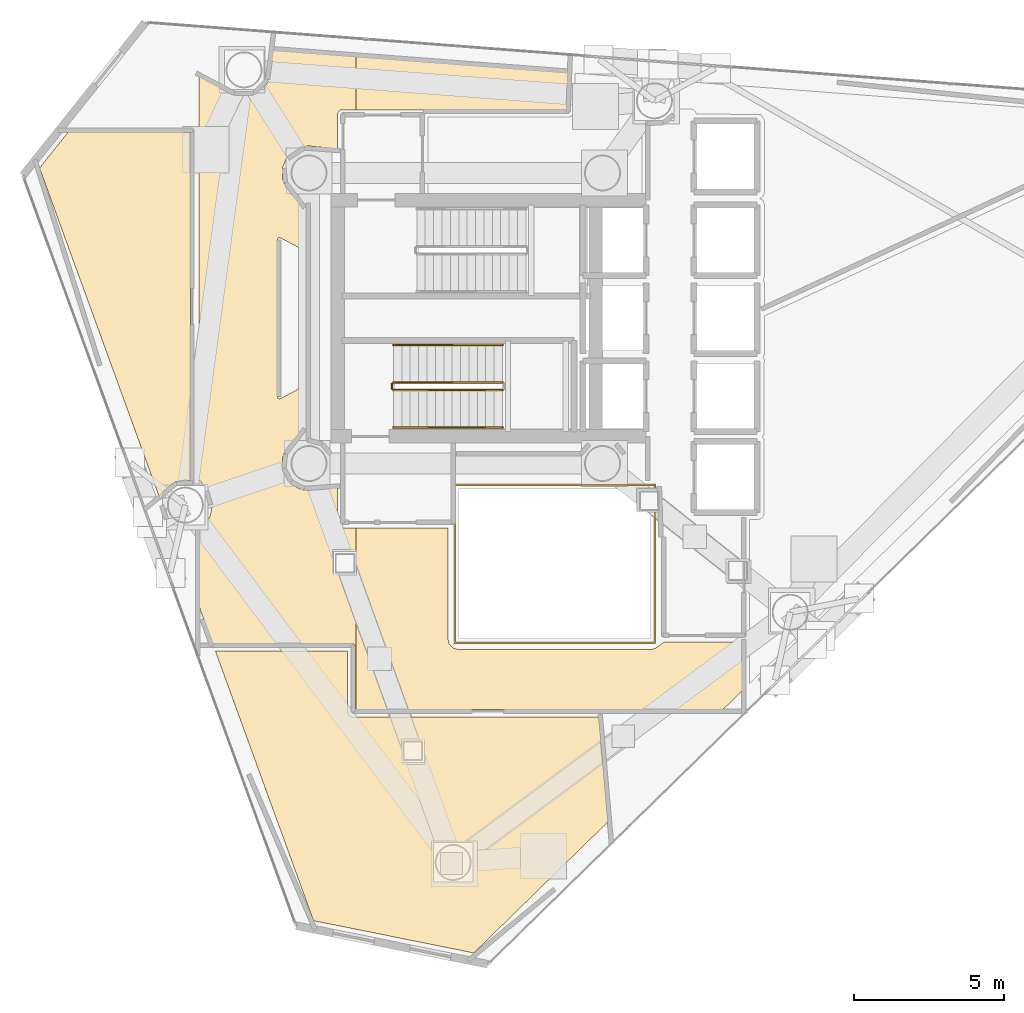
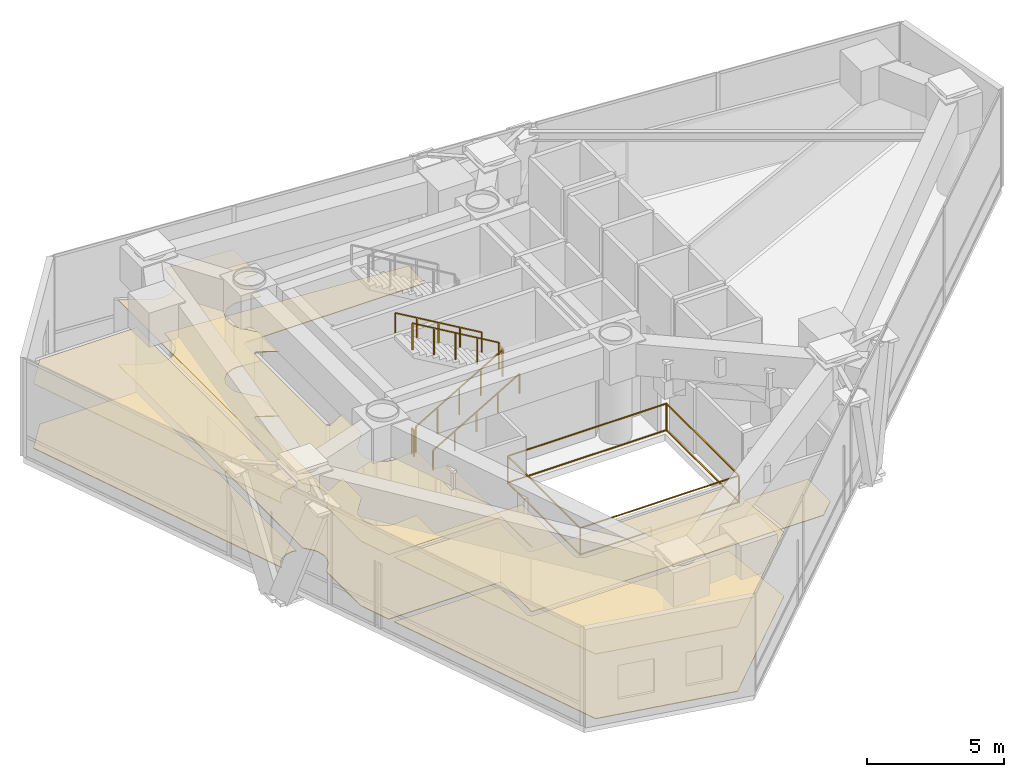
# One storey, part 19 of 20: 6 coverings, 6 railings.
"""IFC4 building model written with IfcOpenShell, lengths in metres."""

from ifc_helpers import new_model, si_unit, direction, frame, origin, origin_2d, place, context, subcontext, project, spatial, polyline, rectangle, outline, extrude, material, layer, layer_set, type_object, element, save


model = new_model("IFC4")

# Units and contexts
model_context = context("Model", 3, precision=1e-05, world=origin(), true_north=direction((0.0, 1.0)))
body_context = subcontext(model_context, "Body", "Model", "MODEL_VIEW")
ifc_project = project(units=[si_unit("LENGTHUNIT", "METRE"), si_unit("AREAUNIT", "SQUARE_METRE"), si_unit("VOLUMEUNIT", "CUBIC_METRE"), si_unit("PLANEANGLEUNIT", "RADIAN"), si_unit("MASSUNIT", "GRAM", prefix="KILO")], contexts=[model_context])

# Site, building, storey
site_placement = place(None, origin())
site = spatial("IfcSite", under=ifc_project, at=site_placement, CompositionType="ELEMENT")
building_placement = place(site_placement, origin())
building = spatial("IfcBuilding", under=site, at=building_placement, Name="Qianvela Tower", CompositionType="ELEMENT")
storey_placement = place(building_placement, frame((0.0, 0.0, 229.89990234375)))
storey = spatial("IfcBuildingStorey", under=building, at=storey_placement, Name="L59", CompositionType="ELEMENT", Elevation=229.89990234375)

# Coverings
ifc_material_1 = material(Name="Perforated Mineral Acoustic Ceiling Tile")
ifc_layer_1 = layer(ifc_material_1, 0.02490234375)
ifc_layer_set_1 = layer_set([ifc_layer_1], Name="Perforated Mineral Acoustic Ceiling Tile")
covering_type_1 = type_object("IfcCoveringType", Name="COV-CEIL-ACOUSTIC-25", PredefinedType="CEILING", material=ifc_layer_set_1)
covering_1_placement = place(storey_placement, frame((0.0, 0.0, 2.875)))
element("IfcCovering", 1, at=covering_1_placement, inside=storey, type_object=covering_type_1, Name="L59 Acoustic Ceiling L59 Fire Refuge Area North", PredefinedType="CEILING", context=body_context, shape_type="SweptSolid", body=[
    extrude(outline(polyline([(19.603759765625, 33.7158203125), (20.565673828125, 34.919921875), (24.639892578125, 34.919921875), (24.639892578125, 23.27099609375), (24.486083984375, 23.298583984375), (24.478759765625, 23.2998046875), (24.47119140625, 23.300048828125), (24.4638671875, 23.299560546875), (24.456298828125, 23.298583984375), (24.16552734375, 23.240478515625), (24.157958984375, 23.23876953125), (24.150390625, 23.236083984375), (24.143310546875, 23.232666015625), (24.01220703125, 23.16259765625), (24.00537109375, 23.158447265625), (23.9990234375, 23.15380859375), (23.9931640625, 23.1484375), (23.783447265625, 22.938720703125), (23.7783203125, 22.93310546875), (23.773681640625, 22.9267578125), (23.76953125, 22.919921875), (23.76611328125, 22.912841796875), (23.652587890625, 22.638916015625), (23.64990234375, 22.631591796875), (23.648193359375, 22.623779296875), (23.64697265625, 22.6162109375), (23.646240234375, 22.60888671875), (19.603759765625, 33.7158203125)])), origin(), (0.0, 0.0, 1.0), 0.025146484375),
])
covering_2_placement = place(storey_placement, frame((0.0, 0.0, 2.875)))
element("IfcCovering", 2, at=covering_2_placement, inside=storey, type_object=covering_type_1, Name="L59 Acoustic Ceiling Bay 1 L59 Mechanical Plant Corridor", PredefinedType="CEILING", context=body_context, shape_type="SweptSolid", body=[
    extrude(outline(polyline([(25.22021484375, 22.9599609375), (25.215576171875, 22.96630859375), (24.929931640625, 23.314453125), (24.929931640625, 36.7783203125), (26.07958984375, 36.163818359375), (26.086669921875, 36.160400390625), (26.093994140625, 36.157958984375), (26.1015625, 36.156005859375), (26.415283203125, 36.093505859375), (26.423095703125, 36.09228515625), (26.430908203125, 36.092041015625), (26.438720703125, 36.09228515625), (26.446533203125, 36.093505859375), (26.760498046875, 36.156005859375), (26.76806640625, 36.157958984375), (26.775390625, 36.160400390625), (26.782470703125, 36.163818359375), (26.789306640625, 36.16796875), (27.055419921875, 36.345703125), (27.0615234375, 36.350341796875), (27.0673828125, 36.355712890625), (27.07275390625, 36.361328125), (27.077392578125, 36.36767578125), (27.255126953125, 36.6337890625), (27.259033203125, 36.640380859375), (27.262451171875, 36.647705078125), (27.26513671875, 36.655029296875), (27.311767578125, 36.808837890625), (27.313720703125, 36.81640625), (27.31494140625, 36.82421875), (27.396240234375, 37.649658203125), (30.1611328125, 37.439208984375), (30.1611328125, 35.660888671875), (29.68798828125, 35.660888671875), (29.68017578125, 35.660400390625), (29.67236328125, 35.6591796875), (29.664794921875, 35.657470703125), (29.6572265625, 35.65478515625), (29.650146484375, 35.6513671875), (29.6435546875, 35.647216796875), (29.63720703125, 35.642578125), (29.63134765625, 35.637451171875), (29.626220703125, 35.631591796875), (29.576171875, 35.57080078125), (29.571533203125, 35.564453125), (29.5673828125, 35.5576171875), (29.564208984375, 35.550537109375), (29.561279296875, 35.543212890625), (29.5595703125, 35.53564453125), (29.558349609375, 35.52783203125), (29.55810546875, 35.52001953125), (29.55810546875, 34.35595703125), (28.60791015625, 34.44970703125), (28.60009765625, 34.449951171875), (28.59228515625, 34.44970703125), (28.43212890625, 34.433837890625), (28.42431640625, 34.4326171875), (28.416748046875, 34.430908203125), (28.409423828125, 34.42822265625), (28.11376953125, 34.3056640625), (28.106689453125, 34.302490234375), (28.10009765625, 34.29833984375), (28.09375, 34.293701171875), (28.087890625, 34.288330078125), (27.861572265625, 34.06201171875), (27.8564453125, 34.056396484375), (27.851806640625, 34.050048828125), (27.84765625, 34.043212890625), (27.84423828125, 34.0361328125), (27.7216796875, 33.740478515625), (27.71923828125, 33.733154296875), (27.71728515625, 33.7255859375), (27.716064453125, 33.7177734375), (27.7158203125, 33.7099609375), (27.7158203125, 33.389892578125), (27.716064453125, 33.382080078125), (27.71728515625, 33.37451171875), (27.71923828125, 33.36669921875), (27.765869140625, 33.212890625), (27.7685546875, 33.20556640625), (27.77197265625, 33.198486328125), (27.84765625, 33.056640625), (27.851806640625, 33.050048828125), (27.8564453125, 33.043701171875), (28.39990234375, 32.381103515625), (28.39990234375, 30.98291015625), (27.65771484375, 31.379638671875), (27.650634765625, 31.383056640625), (27.643310546875, 31.3857421875), (27.635498046875, 31.3876953125), (27.627685546875, 31.388916015625), (27.6201171875, 31.38916015625), (27.6123046875, 31.388916015625), (27.6044921875, 31.3876953125), (27.5966796875, 31.3857421875), (27.58935546875, 31.383056640625), (27.582275390625, 31.379638671875), (27.57568359375, 31.375732421875), (27.569091796875, 31.37109375), (27.5634765625, 31.36572265625), (27.55810546875, 31.35986328125), (27.553466796875, 31.353515625), (27.54931640625, 31.346923828125), (27.546142578125, 31.33984375), (27.54345703125, 31.33251953125), (27.54150390625, 31.32470703125), (27.540283203125, 31.31689453125), (27.5400390625, 31.30908203125), (27.5400390625, 26.0908203125), (27.540283203125, 26.0830078125), (27.54150390625, 26.0751953125), (27.54345703125, 26.067626953125), (27.546142578125, 26.060302734375), (27.54931640625, 26.052978515625), (27.553466796875, 26.04638671875), (27.55810546875, 26.0400390625), (27.5634765625, 26.0341796875), (27.569091796875, 26.029052734375), (27.57568359375, 26.0244140625), (27.582275390625, 26.020263671875), (27.58935546875, 26.016845703125), (27.5966796875, 26.014404296875), (27.6044921875, 26.012451171875), (27.6123046875, 26.01123046875), (27.6201171875, 26.0107421875), (27.627685546875, 26.01123046875), (27.635498046875, 26.012451171875), (27.643310546875, 26.014404296875), (27.650634765625, 26.016845703125), (27.65771484375, 26.020263671875), (28.39990234375, 26.4169921875), (28.39990234375, 25.018798828125), (27.8564453125, 24.356201171875), (27.851806640625, 24.35009765625), (27.84765625, 24.34326171875), (27.77197265625, 24.201416015625), (27.7685546875, 24.1943359375), (27.765869140625, 24.18701171875), (27.71923828125, 24.033203125), (27.71728515625, 24.025634765625), (27.716064453125, 24.017822265625), (27.7158203125, 24.010009765625), (27.7158203125, 23.68994140625), (27.716064453125, 23.68212890625), (27.71728515625, 23.67431640625), (27.71923828125, 23.666748046875), (27.765869140625, 23.512939453125), (27.7685546875, 23.505615234375), (27.77197265625, 23.49853515625), (27.77587890625, 23.49169921875), (27.95361328125, 23.2255859375), (27.958251953125, 23.219482421875), (27.963623046875, 23.213623046875), (27.969482421875, 23.208251953125), (27.9755859375, 23.20361328125), (28.24169921875, 23.02587890625), (28.24853515625, 23.02197265625), (28.255615234375, 23.0185546875), (28.262939453125, 23.015869140625), (28.416748046875, 22.96923828125), (28.42431640625, 22.96728515625), (28.43212890625, 22.966064453125), (28.59228515625, 22.950439453125), (28.60009765625, 22.949951171875), (28.60791015625, 22.950439453125), (29.55810546875, 23.0439453125), (29.55810546875, 21.780029296875), (29.558349609375, 21.772216796875), (29.5595703125, 21.764404296875), (29.561279296875, 21.7568359375), (29.564208984375, 21.74951171875), (29.5673828125, 21.7421875), (29.571533203125, 21.735595703125), (29.576171875, 21.729248046875), (29.581298828125, 21.723388671875), (29.587158203125, 21.71826171875), (29.593505859375, 21.71337890625), (29.600341796875, 21.70947265625), (29.607421875, 21.7060546875), (29.61474609375, 21.703369140625), (29.622314453125, 21.701416015625), (29.630126953125, 21.700439453125), (29.637939453125, 21.699951171875), (30.1611328125, 21.699951171875), (30.1611328125, 15.6298828125), (30.1298828125, 15.6298828125), (30.1298828125, 17.75), (30.129638671875, 17.7578125), (30.12841796875, 17.765625), (30.126708984375, 17.773193359375), (30.123779296875, 17.780517578125), (30.12060546875, 17.78759765625), (30.116455078125, 17.79443359375), (30.11181640625, 17.80078125), (30.106689453125, 17.806640625), (30.100830078125, 17.811767578125), (30.094482421875, 17.81640625), (30.087646484375, 17.820556640625), (30.08056640625, 17.823974609375), (30.0732421875, 17.82666015625), (30.065673828125, 17.82861328125), (30.057861328125, 17.82958984375), (30.050048828125, 17.830078125), (25.385498046875, 17.830078125), (24.929931640625, 19.081787109375), (24.929931640625, 21.605712890625), (25.215576171875, 21.95361328125), (25.22021484375, 21.9599609375), (25.224365234375, 21.966796875), (25.300048828125, 22.1083984375), (25.303466796875, 22.115478515625), (25.30615234375, 22.123046875), (25.30810546875, 22.130615234375), (25.37060546875, 22.4443359375), (25.37158203125, 22.4521484375), (25.3720703125, 22.4599609375), (25.37158203125, 22.4677734375), (25.37060546875, 22.4755859375), (25.30810546875, 22.789306640625), (25.30615234375, 22.797119140625), (25.303466796875, 22.804443359375), (25.300048828125, 22.8115234375), (25.224365234375, 22.953369140625), (25.22021484375, 22.9599609375)])), origin(), (0.0, 0.0, 1.0), 0.025146484375),
])
covering_3_placement = place(storey_placement, frame((0.0, 0.0, 2.875)))
element("IfcCovering", 3, at=covering_3_placement, inside=storey, type_object=covering_type_1, Name="L59 Acoustic Ceiling L59 Air Handling and Smoke Exhaust Plant Room", PredefinedType="CEILING", context=body_context, shape_type="SweptSolid", body=[
    extrude(outline(polyline([(25.472900390625, 17.590087890625), (29.889892578125, 17.590087890625), (29.889892578125, 15.550048828125), (29.890380859375, 15.542236328125), (29.8916015625, 15.534423828125), (29.893310546875, 15.52685546875), (29.89599609375, 15.519287109375), (29.8994140625, 15.51220703125), (29.903564453125, 15.505615234375), (29.908203125, 15.499267578125), (29.97265625, 15.4208984375), (29.977783203125, 15.4150390625), (29.983642578125, 15.40966796875), (29.989990234375, 15.405029296875), (29.99658203125, 15.40087890625), (30.00390625, 15.397705078125), (30.01123046875, 15.39501953125), (30.018798828125, 15.39306640625), (30.026611328125, 15.391845703125), (30.034423828125, 15.3916015625), (38.277587890625, 15.389892578125), (38.583984375, 11.887451171875), (34.1044921875, 7.5078125), (28.75, 8.5859375), (25.472900390625, 17.590087890625)])), origin(), (0.0, 0.0, 1.0), 0.025146484375),
])
ifc_material_2 = material(Name="Honed Stone Terrazzo Flooring", Category="masonry")
ifc_layer_2 = layer(ifc_material_2, 0.030029296875)
ifc_layer_set_2 = layer_set([ifc_layer_2], Name="Honed Stone Terrazzo Flooring")
covering_type_2 = type_object("IfcCoveringType", Name="COV-FLOOR-TERRAZZO-30", PredefinedType="FLOORING", material=ifc_layer_set_2)
covering_4_placement = place(storey_placement, origin())
element("IfcCovering", 4, at=covering_4_placement, inside=storey, type_object=covering_type_2, Name="L59 Finish Flooring L59 Fire Refuge Area North", PredefinedType="FLOORING", context=body_context, shape_type="SweptSolid", body=[
    extrude(outline(polyline([(19.603759765625, 33.7158203125), (20.565673828125, 34.919921875), (24.639892578125, 34.919921875), (24.639892578125, 23.27099609375), (24.486083984375, 23.298583984375), (24.478759765625, 23.2998046875), (24.47119140625, 23.300048828125), (24.4638671875, 23.299560546875), (24.456298828125, 23.298583984375), (24.16552734375, 23.240478515625), (24.157958984375, 23.23876953125), (24.150390625, 23.236083984375), (24.143310546875, 23.232666015625), (24.01220703125, 23.16259765625), (24.00537109375, 23.158447265625), (23.9990234375, 23.15380859375), (23.9931640625, 23.1484375), (23.783447265625, 22.938720703125), (23.7783203125, 22.93310546875), (23.773681640625, 22.9267578125), (23.76953125, 22.919921875), (23.76611328125, 22.912841796875), (23.652587890625, 22.638916015625), (23.64990234375, 22.631591796875), (23.648193359375, 22.623779296875), (23.64697265625, 22.6162109375), (23.646240234375, 22.60888671875), (19.603759765625, 33.7158203125)])), origin(), (0.0, 0.0, 1.0), 0.030029296875),
])
covering_5_placement = place(storey_placement, origin())
element("IfcCovering", 5, at=covering_5_placement, inside=storey, type_object=covering_type_2, Name="L59 Finish Flooring L59 Mechanical Plant Corridor", PredefinedType="FLOORING", context=body_context, shape_type="SweptSolid", body=[
    extrude(outline(polyline([(25.224365234375, 22.953369140625), (25.22021484375, 22.9599609375), (25.215576171875, 22.96630859375), (24.929931640625, 23.314453125), (24.929931640625, 36.7783203125), (26.07958984375, 36.163818359375), (26.086669921875, 36.160400390625), (26.093994140625, 36.157958984375), (26.1015625, 36.156005859375), (26.415283203125, 36.093505859375), (26.423095703125, 36.09228515625), (26.430908203125, 36.092041015625), (26.438720703125, 36.09228515625), (26.446533203125, 36.093505859375), (26.760498046875, 36.156005859375), (26.76806640625, 36.157958984375), (26.775390625, 36.160400390625), (26.782470703125, 36.163818359375), (26.789306640625, 36.16796875), (27.055419921875, 36.345703125), (27.0615234375, 36.350341796875), (27.0673828125, 36.355712890625), (27.07275390625, 36.361328125), (27.077392578125, 36.36767578125), (27.255126953125, 36.6337890625), (27.259033203125, 36.640380859375), (27.262451171875, 36.647705078125), (27.26513671875, 36.655029296875), (27.311767578125, 36.808837890625), (27.313720703125, 36.81640625), (27.31494140625, 36.82421875), (27.396240234375, 37.649658203125), (37.251220703125, 36.8994140625), (37.2041015625, 35.659912109375), (29.68798828125, 35.660888671875), (29.68017578125, 35.660400390625), (29.67236328125, 35.6591796875), (29.664794921875, 35.657470703125), (29.6572265625, 35.65478515625), (29.650146484375, 35.6513671875), (29.6435546875, 35.647216796875), (29.63720703125, 35.642578125), (29.63134765625, 35.637451171875), (29.626220703125, 35.631591796875), (29.576171875, 35.57080078125), (29.571533203125, 35.564453125), (29.5673828125, 35.5576171875), (29.564208984375, 35.550537109375), (29.561279296875, 35.543212890625), (29.5595703125, 35.53564453125), (29.558349609375, 35.52783203125), (29.55810546875, 35.52001953125), (29.55810546875, 34.35595703125), (28.60791015625, 34.44970703125), (28.60009765625, 34.449951171875), (28.59228515625, 34.44970703125), (28.43212890625, 34.433837890625), (28.42431640625, 34.4326171875), (28.416748046875, 34.430908203125), (28.409423828125, 34.42822265625), (28.11376953125, 34.3056640625), (28.106689453125, 34.302490234375), (28.10009765625, 34.29833984375), (28.09375, 34.293701171875), (28.087890625, 34.288330078125), (27.861572265625, 34.06201171875), (27.8564453125, 34.056396484375), (27.851806640625, 34.050048828125), (27.84765625, 34.043212890625), (27.84423828125, 34.0361328125), (27.7216796875, 33.740478515625), (27.71923828125, 33.733154296875), (27.71728515625, 33.7255859375), (27.716064453125, 33.7177734375), (27.7158203125, 33.7099609375), (27.7158203125, 33.389892578125), (27.716064453125, 33.382080078125), (27.71728515625, 33.37451171875), (27.71923828125, 33.36669921875), (27.765869140625, 33.212890625), (27.7685546875, 33.20556640625), (27.77197265625, 33.198486328125), (27.84765625, 33.056640625), (27.851806640625, 33.050048828125), (27.8564453125, 33.043701171875), (28.39990234375, 32.381103515625), (28.39990234375, 30.98291015625), (27.65771484375, 31.379638671875), (27.650634765625, 31.383056640625), (27.643310546875, 31.3857421875), (27.635498046875, 31.3876953125), (27.627685546875, 31.388916015625), (27.6201171875, 31.38916015625), (27.6123046875, 31.388916015625), (27.6044921875, 31.3876953125), (27.5966796875, 31.3857421875), (27.58935546875, 31.383056640625), (27.582275390625, 31.379638671875), (27.57568359375, 31.375732421875), (27.569091796875, 31.37109375), (27.5634765625, 31.36572265625), (27.55810546875, 31.35986328125), (27.553466796875, 31.353515625), (27.54931640625, 31.346923828125), (27.546142578125, 31.33984375), (27.54345703125, 31.33251953125), (27.54150390625, 31.32470703125), (27.540283203125, 31.31689453125), (27.5400390625, 31.30908203125), (27.5400390625, 26.0908203125), (27.540283203125, 26.0830078125), (27.54150390625, 26.0751953125), (27.54345703125, 26.067626953125), (27.546142578125, 26.060302734375), (27.54931640625, 26.052978515625), (27.553466796875, 26.04638671875), (27.55810546875, 26.0400390625), (27.5634765625, 26.0341796875), (27.569091796875, 26.029052734375), (27.57568359375, 26.0244140625), (27.582275390625, 26.020263671875), (27.58935546875, 26.016845703125), (27.5966796875, 26.014404296875), (27.6044921875, 26.012451171875), (27.6123046875, 26.01123046875), (27.6201171875, 26.0107421875), (27.627685546875, 26.01123046875), (27.635498046875, 26.012451171875), (27.643310546875, 26.014404296875), (27.650634765625, 26.016845703125), (27.65771484375, 26.020263671875), (28.39990234375, 26.4169921875), (28.39990234375, 25.018798828125), (27.8564453125, 24.356201171875), (27.851806640625, 24.35009765625), (27.84765625, 24.34326171875), (27.77197265625, 24.201416015625), (27.7685546875, 24.1943359375), (27.765869140625, 24.18701171875), (27.71923828125, 24.033203125), (27.71728515625, 24.025634765625), (27.716064453125, 24.017822265625), (27.7158203125, 24.010009765625), (27.7158203125, 23.68994140625), (27.716064453125, 23.68212890625), (27.71728515625, 23.67431640625), (27.71923828125, 23.666748046875), (27.765869140625, 23.512939453125), (27.7685546875, 23.505615234375), (27.77197265625, 23.49853515625), (27.77587890625, 23.49169921875), (27.95361328125, 23.2255859375), (27.958251953125, 23.219482421875), (27.963623046875, 23.213623046875), (27.969482421875, 23.208251953125), (27.9755859375, 23.20361328125), (28.24169921875, 23.02587890625), (28.24853515625, 23.02197265625), (28.255615234375, 23.0185546875), (28.262939453125, 23.015869140625), (28.416748046875, 22.96923828125), (28.42431640625, 22.96728515625), (28.43212890625, 22.966064453125), (28.59228515625, 22.950439453125), (28.60009765625, 22.949951171875), (28.60791015625, 22.950439453125), (29.55810546875, 23.0439453125), (29.55810546875, 21.780029296875), (29.558349609375, 21.772216796875), (29.5595703125, 21.764404296875), (29.561279296875, 21.7568359375), (29.564208984375, 21.74951171875), (29.5673828125, 21.7421875), (29.571533203125, 21.735595703125), (29.576171875, 21.729248046875), (29.581298828125, 21.723388671875), (29.587158203125, 21.71826171875), (29.593505859375, 21.71337890625), (29.600341796875, 21.70947265625), (29.607421875, 21.7060546875), (29.61474609375, 21.703369140625), (29.622314453125, 21.701416015625), (29.630126953125, 21.700439453125), (29.637939453125, 21.699951171875), (33.239990234375, 21.699951171875), (33.239990234375, 18.0), (33.240478515625, 17.990234375), (33.242431640625, 17.980712890625), (33.275390625, 17.8486328125), (33.277587890625, 17.841796875), (33.2802734375, 17.8349609375), (33.283447265625, 17.82861328125), (33.287353515625, 17.822509765625), (33.29150390625, 17.81689453125), (33.29638671875, 17.811279296875), (33.411376953125, 17.696533203125), (33.41796875, 17.690673828125), (33.4248046875, 17.685791015625), (33.432373046875, 17.681396484375), (33.440185546875, 17.677978515625), (33.448486328125, 17.675537109375), (33.58056640625, 17.642333984375), (33.5869140625, 17.64111328125), (33.593505859375, 17.640380859375), (33.60009765625, 17.639892578125), (40.0, 17.639892578125), (40.006591796875, 17.640380859375), (40.012939453125, 17.64111328125), (40.019287109375, 17.642333984375), (40.1513671875, 17.675537109375), (40.15869140625, 17.677734375), (40.166015625, 17.6806640625), (40.172607421875, 17.68408203125), (40.17919921875, 17.6884765625), (40.459228515625, 17.89306640625), (43.070068359375, 17.89990234375), (43.070068359375, 16.27294921875), (42.412353515625, 15.6298828125), (30.1298828125, 15.6298828125), (30.1298828125, 17.75), (30.129638671875, 17.7578125), (30.12841796875, 17.765625), (30.126708984375, 17.773193359375), (30.123779296875, 17.780517578125), (30.12060546875, 17.78759765625), (30.116455078125, 17.79443359375), (30.11181640625, 17.80078125), (30.106689453125, 17.806640625), (30.100830078125, 17.811767578125), (30.094482421875, 17.81640625), (30.087646484375, 17.820556640625), (30.08056640625, 17.823974609375), (30.0732421875, 17.82666015625), (30.065673828125, 17.82861328125), (30.057861328125, 17.82958984375), (30.050048828125, 17.830078125), (25.385498046875, 17.830078125), (24.929931640625, 19.081787109375), (24.929931640625, 21.605712890625), (25.215576171875, 21.95361328125), (25.22021484375, 21.9599609375), (25.224365234375, 21.966796875), (25.300048828125, 22.1083984375), (25.303466796875, 22.115478515625), (25.30615234375, 22.123046875), (25.30810546875, 22.130615234375), (25.37060546875, 22.4443359375), (25.37158203125, 22.4521484375), (25.3720703125, 22.4599609375), (25.37158203125, 22.4677734375), (25.37060546875, 22.4755859375), (25.30810546875, 22.789306640625), (25.30615234375, 22.797119140625), (25.303466796875, 22.804443359375), (25.300048828125, 22.8115234375), (25.224365234375, 22.953369140625)])), origin(), (0.0, 0.0, 1.0), 0.030029296875),
])
covering_6_placement = place(storey_placement, origin())
element("IfcCovering", 6, at=covering_6_placement, inside=storey, type_object=covering_type_2, Name="L59 Finish Flooring L59 Air Handling and Smoke Exhaust Plant Room", PredefinedType="FLOORING", context=body_context, shape_type="SweptSolid", body=[
    extrude(outline(polyline([(25.472900390625, 17.590087890625), (29.889892578125, 17.590087890625), (29.889892578125, 15.550048828125), (29.890380859375, 15.542236328125), (29.8916015625, 15.534423828125), (29.893310546875, 15.52685546875), (29.89599609375, 15.519287109375), (29.8994140625, 15.51220703125), (29.903564453125, 15.505615234375), (29.908203125, 15.499267578125), (29.97265625, 15.4208984375), (29.977783203125, 15.4150390625), (29.983642578125, 15.40966796875), (29.989990234375, 15.405029296875), (29.99658203125, 15.40087890625), (30.00390625, 15.397705078125), (30.01123046875, 15.39501953125), (30.018798828125, 15.39306640625), (30.026611328125, 15.391845703125), (30.034423828125, 15.3916015625), (38.277587890625, 15.389892578125), (38.583984375, 11.887451171875), (34.1044921875, 7.5078125), (28.75, 8.5859375), (25.472900390625, 17.590087890625)])), origin(), (0.0, 0.0, 1.0), 0.030029296875),
])

# Railings
ifc_material_3 = material(Name="Laminated Safety Glass and Stainless Steel 316", Category="steel")
railing_type_1 = type_object("IfcRailingType", Name="RL-ATRIUM-GUARD-1250", PredefinedType="GUARDRAIL", material=ifc_material_3)
railing_1_placement = place(storey_placement, frame((33.4599609375, 17.860107421875, 0.0)))
element("IfcRailing", 7, at=railing_1_placement, inside=storey, type_object=railing_type_1, Name="L59 Atrium Edge Guardrail 1", PredefinedType="GUARDRAIL", context=body_context, shape_type="SweptSolid", body=[
    extrude(rectangle(XDim=0.050048828125, YDim=0.0400390625, at=origin_2d()), frame((0.0, 0.0, 1.22998046875), z_axis=(0.0, 1.0, 0.0), x_axis=(-1.0, 0.0, 0.0)), (0.0, 0.0, 1.0), 5.27978515625),
    extrude(rectangle(XDim=0.050048828125, YDim=0.0400390625, at=origin_2d()), frame((0.0, 0.0, 0.050048828125), z_axis=(0.0, 1.0, 0.0), x_axis=(-1.0, 0.0, 0.0)), (0.0, 0.0, 1.0), 5.27978515625),
    extrude(rectangle(XDim=0.050048828125, YDim=0.0400390625, at=origin_2d()), frame((0.0, 5.27978515625, 1.22998046875), z_axis=(1.0, 0.0, 0.0), x_axis=(0.0, 1.0, 0.0)), (0.0, 0.0, 1.0), 6.679931640625),
    extrude(rectangle(XDim=0.050048828125, YDim=0.0400390625, at=origin_2d()), frame((0.0, 5.27978515625, 0.050048828125), z_axis=(1.0, 0.0, 0.0), x_axis=(0.0, 1.0, 0.0)), (0.0, 0.0, 1.0), 6.679931640625),
    extrude(rectangle(XDim=0.050048828125, YDim=0.0400390625, at=origin_2d()), frame((6.679931640625, 5.27978515625, 1.22998046875), z_axis=(0.0, -1.0, 0.0), x_axis=(1.0, 0.0, 0.0)), (0.0, 0.0, 1.0), 5.27978515625),
    extrude(rectangle(XDim=0.050048828125, YDim=0.0400390625, at=origin_2d()), frame((6.679931640625, 5.27978515625, 0.050048828125), z_axis=(0.0, -1.0, 0.0), x_axis=(1.0, 0.0, 0.0)), (0.0, 0.0, 1.0), 5.27978515625),
    extrude(rectangle(XDim=0.050048828125, YDim=0.0400390625, at=origin_2d()), frame((6.679931640625, 0.0, 1.22998046875), z_axis=(-1.0, 0.0, 0.0), x_axis=(0.0, -1.0, 0.0)), (0.0, 0.0, 1.0), 6.679931640625),
    extrude(rectangle(XDim=0.050048828125, YDim=0.0400390625, at=origin_2d()), frame((6.679931640625, 0.0, 0.050048828125), z_axis=(-1.0, 0.0, 0.0), x_axis=(0.0, -1.0, 0.0)), (0.0, 0.0, 1.0), 6.679931640625),
    extrude(rectangle(XDim=0.050048828125, YDim=0.050048828125, at=origin_2d()), origin(), (0.0, 0.0, 1.0), 1.2099609375),
    extrude(rectangle(XDim=0.050048828125, YDim=0.050048828125, at=origin_2d()), frame((0.0, 5.27978515625, 0.0)), (0.0, 0.0, 1.0), 1.2099609375),
    extrude(rectangle(XDim=0.050048828125, YDim=0.050048828125, at=origin_2d()), frame((6.679931640625, 5.27978515625, 0.0)), (0.0, 0.0, 1.0), 1.2099609375),
    extrude(rectangle(XDim=0.050048828125, YDim=0.050048828125, at=origin_2d()), frame((6.679931640625, 0.0, 0.0)), (0.0, 0.0, 1.0), 1.2099609375),
])
ifc_material_4 = material(Name="Painted Tubular Steel Q355B", Category="steel")
railing_type_2 = type_object("IfcRailingType", Name="RL-STAIR-GUARD-1200", PredefinedType="GUARDRAIL", material=ifc_material_4)
railing_2_placement = place(storey_placement, frame((31.419921875, 26.300048828125, 0.164306640625)))
element("IfcRailing", 8, at=railing_2_placement, inside=storey, type_object=railing_type_2, Name="L59 ST-2 stair guard 1", PredefinedType="GUARDRAIL", context=body_context, shape_type="SweptSolid", body=[
    extrude(rectangle(XDim=0.050048828125, YDim=0.0400390625, at=origin_2d()), frame((0.0, 0.0, 1.179931640625), z_axis=(0.862504707072, 0.0, 0.506049039401), x_axis=(0.0, 1.0, 0.0)), (0.0, 0.0, 1.0), 4.220458984375),
    extrude(rectangle(XDim=0.050048828125, YDim=0.050048828125, at=origin_2d()), origin(), (0.0, 0.0, 1.0), 1.159912109375),
    extrude(rectangle(XDim=0.050048828125, YDim=0.050048828125, at=origin_2d()), frame((0.91015625, 0.0, 0.533935546875)), (0.0, 0.0, 1.0), 1.159912109375),
    extrude(rectangle(XDim=0.050048828125, YDim=0.050048828125, at=origin_2d()), frame((1.820068359375, 0.0, 1.06787109375)), (0.0, 0.0, 1.0), 1.159912109375),
    extrude(rectangle(XDim=0.050048828125, YDim=0.050048828125, at=origin_2d()), frame((2.72998046875, 0.0, 1.601806640625)), (0.0, 0.0, 1.0), 1.159912109375),
    extrude(rectangle(XDim=0.050048828125, YDim=0.050048828125, at=origin_2d()), frame((3.64013671875, 0.0, 2.1357421875)), (0.0, 0.0, 1.0), 1.159912109375),
])
railing_3_placement = place(storey_placement, frame((35.06005859375, 26.56005859375, 2.46435546875)))
element("IfcRailing", 9, at=railing_3_placement, inside=storey, type_object=railing_type_2, Name="L59 ST-2 stair guard 3", PredefinedType="GUARDRAIL", context=body_context, shape_type="SweptSolid", body=[
    extrude(rectangle(XDim=0.050048828125, YDim=0.0400390625, at=origin_2d()), frame((0.0, 0.0, 1.179931640625), z_axis=(-0.862504707072, 0.0, 0.506049039401), x_axis=(0.0, -1.0, 0.0)), (0.0, 0.0, 1.0), 4.220458984375),
    extrude(rectangle(XDim=0.050048828125, YDim=0.050048828125, at=origin_2d()), origin(), (0.0, 0.0, 1.0), 1.159912109375),
    extrude(rectangle(XDim=0.050048828125, YDim=0.050048828125, at=origin_2d()), frame((-0.91015625, 0.0, 0.533935546875)), (0.0, 0.0, 1.0), 1.159912109375),
    extrude(rectangle(XDim=0.050048828125, YDim=0.050048828125, at=origin_2d()), frame((-1.820068359375, 0.0, 1.06787109375)), (0.0, 0.0, 1.0), 1.159912109375),
    extrude(rectangle(XDim=0.050048828125, YDim=0.050048828125, at=origin_2d()), frame((-2.72998046875, 0.0, 1.601806640625)), (0.0, 0.0, 1.0), 1.159912109375),
    extrude(rectangle(XDim=0.050048828125, YDim=0.050048828125, at=origin_2d()), frame((-3.64013671875, 0.0, 2.1357421875)), (0.0, 0.0, 1.0), 1.159912109375),
])
railing_4_placement = place(storey_placement, frame((31.3701171875, 26.35009765625, 0.0)))
element("IfcRailing", 10, at=railing_4_placement, inside=storey, type_object=railing_type_2, Name="L59 ST-2 stair guard 4", PredefinedType="GUARDRAIL", context=body_context, shape_type="SweptSolid", body=[
    extrude(rectangle(XDim=0.050048828125, YDim=0.0400390625, at=origin_2d()), frame((0.0, 0.0, 1.179931640625), z_axis=(0.0, 1.0, 0.0), x_axis=(-1.0, 0.0, 0.0)), (0.0, 0.0, 1.0), 0.159912109375),
    extrude(rectangle(XDim=0.050048828125, YDim=0.050048828125, at=origin_2d()), origin(), (0.0, 0.0, 1.0), 1.159912109375),
    extrude(rectangle(XDim=0.050048828125, YDim=0.050048828125, at=origin_2d()), frame((0.0, 0.159912109375, 0.0)), (0.0, 0.0, 1.0), 1.159912109375),
])
ifc_material_5 = material(Name="Brushed Stainless Steel 304", Category="steel")
railing_type_3 = type_object("IfcRailingType", Name="RL-STAIR-HANDRAIL-900", PredefinedType="HANDRAIL", material=ifc_material_5)
railing_5_placement = place(storey_placement, frame((31.419921875, 25.050048828125, 0.164306640625)))
element("IfcRailing", 11, at=railing_5_placement, inside=storey, type_object=railing_type_3, Name="L59 ST-2 stair handrail 1", PredefinedType="HANDRAIL", context=body_context, shape_type="SweptSolid", body=[
    extrude(rectangle(XDim=0.050048828125, YDim=0.0400390625, at=origin_2d()), frame((0.0, 0.0, 0.8798828125), z_axis=(0.862504707072, 0.0, 0.506049039401), x_axis=(0.0, 1.0, 0.0)), (0.0, 0.0, 1.0), 4.220458984375),
    extrude(rectangle(XDim=0.050048828125, YDim=0.050048828125, at=origin_2d()), origin(), (0.0, 0.0, 1.0), 0.85986328125),
    extrude(rectangle(XDim=0.050048828125, YDim=0.050048828125, at=origin_2d()), frame((0.91015625, 0.0, 0.533935546875)), (0.0, 0.0, 1.0), 0.85986328125),
    extrude(rectangle(XDim=0.050048828125, YDim=0.050048828125, at=origin_2d()), frame((1.820068359375, 0.0, 1.06787109375)), (0.0, 0.0, 1.0), 0.85986328125),
    extrude(rectangle(XDim=0.050048828125, YDim=0.050048828125, at=origin_2d()), frame((2.72998046875, 0.0, 1.601806640625)), (0.0, 0.0, 1.0), 0.85986328125),
    extrude(rectangle(XDim=0.050048828125, YDim=0.050048828125, at=origin_2d()), frame((3.64013671875, 0.0, 2.1357421875)), (0.0, 0.0, 1.0), 0.85986328125),
])
railing_6_placement = place(storey_placement, frame((35.06005859375, 27.81005859375, 2.46435546875)))
element("IfcRailing", 12, at=railing_6_placement, inside=storey, type_object=railing_type_3, Name="L59 ST-2 stair handrail 2", PredefinedType="HANDRAIL", context=body_context, shape_type="SweptSolid", body=[
    extrude(rectangle(XDim=0.050048828125, YDim=0.0400390625, at=origin_2d()), frame((0.0, 0.0, 0.8798828125), z_axis=(-0.862504707072, 0.0, 0.506049039401), x_axis=(0.0, -1.0, 0.0)), (0.0, 0.0, 1.0), 4.220458984375),
    extrude(rectangle(XDim=0.050048828125, YDim=0.050048828125, at=origin_2d()), origin(), (0.0, 0.0, 1.0), 0.85986328125),
    extrude(rectangle(XDim=0.050048828125, YDim=0.050048828125, at=origin_2d()), frame((-0.91015625, 0.0, 0.533935546875)), (0.0, 0.0, 1.0), 0.85986328125),
    extrude(rectangle(XDim=0.050048828125, YDim=0.050048828125, at=origin_2d()), frame((-1.820068359375, 0.0, 1.06787109375)), (0.0, 0.0, 1.0), 0.85986328125),
    extrude(rectangle(XDim=0.050048828125, YDim=0.050048828125, at=origin_2d()), frame((-2.72998046875, 0.0, 1.601806640625)), (0.0, 0.0, 1.0), 0.85986328125),
    extrude(rectangle(XDim=0.050048828125, YDim=0.050048828125, at=origin_2d()), frame((-3.64013671875, 0.0, 2.1357421875)), (0.0, 0.0, 1.0), 0.85986328125),
])

save(model, "model.ifc")
